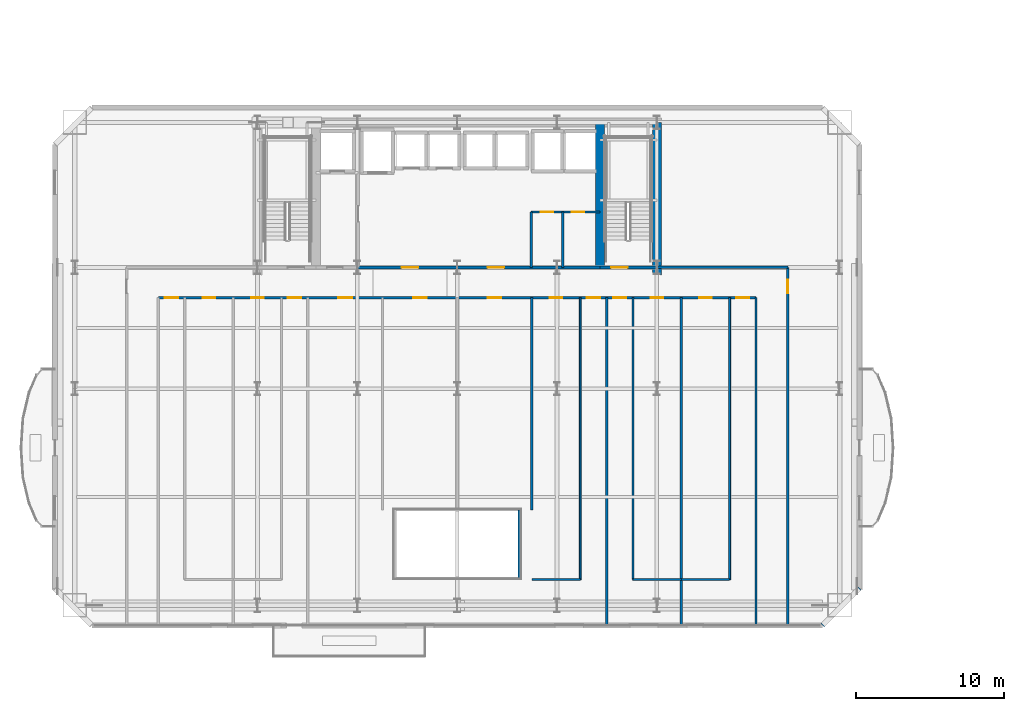
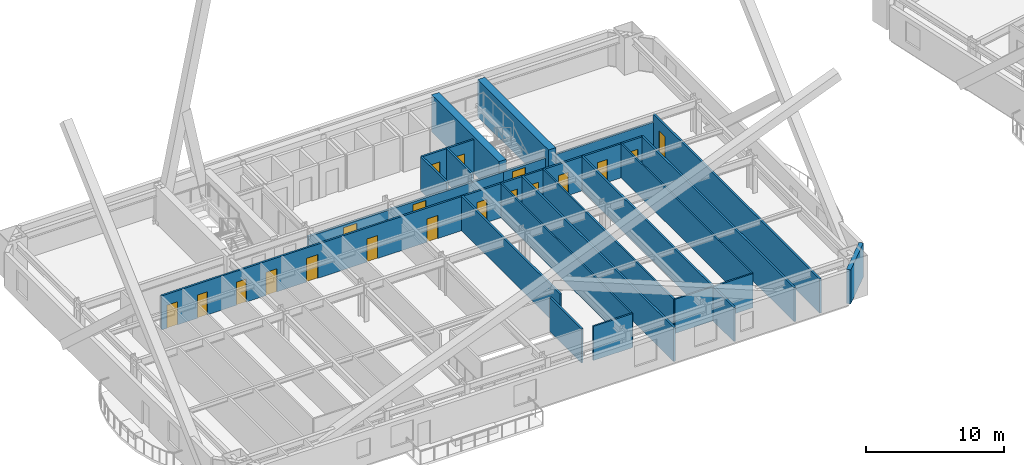
# One storey, part 8 of 20: 22 walls, 19 doors, 19 openings.
"""IFC4 building model written with IfcOpenShell, lengths in metres."""

from ifc_helpers import new_model, si_unit, direction, frame, frame_2d, origin, place, context, subcontext, project, spatial, rectangle, extrude, material, layer, layer_set, type_object, element, fill, save


model = new_model("IFC4")

# Units and contexts
model_context = context("Model", 3, precision=1e-05, world=origin(), true_north=direction((0.0, 1.0)))
body_context = subcontext(model_context, "Body", "Model", "MODEL_VIEW")
ifc_project = project(units=[si_unit("LENGTHUNIT", "METRE"), si_unit("AREAUNIT", "SQUARE_METRE"), si_unit("VOLUMEUNIT", "CUBIC_METRE"), si_unit("PLANEANGLEUNIT", "RADIAN"), si_unit("MASSUNIT", "GRAM", prefix="KILO")], contexts=[model_context])

# Site, building, storey
site_placement = place(None, origin())
site = spatial("IfcSite", under=ifc_project, at=site_placement, CompositionType="ELEMENT")
building_placement = place(site_placement, origin())
building = spatial("IfcBuilding", under=site, at=building_placement, Name="Haevon Station Towers", CompositionType="ELEMENT")
storey_placement = place(building_placement, frame((0.0, 0.0, 30.60009765625)))
storey = spatial("IfcBuildingStorey", under=building, at=storey_placement, Name="L06", CompositionType="ELEMENT", Elevation=30.60009765625)

# Wall, opening, door
ifc_material_1 = material(Name="Gypsum board on steel stud", Category="steel")
ifc_layer_1 = layer(ifc_material_1, 0.199951171875)
ifc_layer_set_1 = layer_set([ifc_layer_1], Name="Gypsum board on steel stud")
wall_type_1 = type_object("IfcWallType", Name="WL-COR200", PredefinedType="PARTITIONING", material=ifc_layer_set_1)
wall_1_placement = place(storey_placement, frame((47.14990234375, 38.199951171875, 0.0), z_axis=(0.0, 0.0, 1.0), x_axis=(1.0, 0.0, 0.0)))
wall_1 = element("IfcWall", 1, at=wall_1_placement, inside=storey, type_object=wall_type_1, Name="WL-ST-ST2-L06", PredefinedType="PARTITIONING", context=body_context, shape_type="SweptSolid", body=[
    extrude(rectangle(XDim=3.85009765625, YDim=0.199951171875, at=frame_2d((1.925048828125, 0.0))), origin(), (0.0, 0.0, 1.0), 2.329833984375),
])
opening_1_placement = place(wall_1_placement, frame((0.75, 0.0, 0.0)))
opening_1 = element("IfcOpeningElement", 2, at=opening_1_placement, cuts=wall_1, Name="Opening DR-ST-ST2-L06", PredefinedType="OPENING", context=body_context, shape_type="SweptSolid", body=[
    extrude(rectangle(XDim=1.1201171875, YDim=2.10009765625, at=frame_2d((0.56005859375, 1.050048828125))), frame((0.0, 0.10986328125, 0.0), z_axis=(0.0, -1.0, 0.0), x_axis=(1.0, 0.0, 0.0)), (0.0, 0.0, 1.0), 0.219970703125),
])
ifc_material_2 = material(Name="Engineered oak timber", Category="wood")
door_type_1 = type_object("IfcDoorType", Name="DR-ST-1120", OperationType="NOTDEFINED", PredefinedType="DOOR", material=ifc_material_2)
door_1_placement = place(opening_1_placement, origin())
door_1 = element("IfcDoor", 3, at=door_1_placement, inside=storey, type_object=door_type_1, Name="L06 Escape Stair ST2 Fire Door", OperationType="SINGLE_SWING_RIGHT", OverallHeight=2.10009765625, OverallWidth=1.1201171875, PredefinedType="DOOR", context=body_context, shape_type="SweptSolid", body=[
    extrude(rectangle(XDim=1.1201171875, YDim=2.10009765625, at=frame_2d((0.56005859375, 1.050048828125))), frame((0.0, 0.02490234375, 0.0), z_axis=(0.0, -1.0, 0.0), x_axis=(1.0, 0.0, 0.0)), (0.0, 0.0, 1.0), 0.050048828125),
])
fill(opening_1, door_1)

# Wall, openings, doors
wall_2_placement = place(storey_placement, frame((30.800048828125, 38.199951171875, 0.0), z_axis=(0.0, 0.0, 1.0), x_axis=(1.0, 0.0, 0.0)))
wall_2 = element("IfcWall", 4, at=wall_2_placement, inside=storey, type_object=wall_type_1, Name="WL-T1CLB-L06", PredefinedType="PARTITIONING", context=body_context, shape_type="SweptSolid", body=[
    extrude(rectangle(XDim=16.349853515625, YDim=0.199951171875, at=frame_2d((8.1748046875, 0.0))), origin(), (0.0, 0.0, 1.0), 2.329833984375),
])
opening_2_placement = place(wall_2_placement, frame((2.949951171875, 0.0, 0.0)))
opening_2 = element("IfcOpeningElement", 5, at=opening_2_placement, cuts=wall_2, Name="Opening DR-T1CLB-L06-1", PredefinedType="OPENING", context=body_context, shape_type="SweptSolid", body=[
    extrude(rectangle(XDim=1.1201171875, YDim=2.10009765625, at=frame_2d((0.56005859375, 1.050048828125))), frame((0.0, 0.10986328125, 0.0), z_axis=(0.0, -1.0, 0.0), x_axis=(1.0, 0.0, 0.0)), (0.0, 0.0, 1.0), 0.219970703125),
])
opening_3_placement = place(wall_2_placement, frame((8.75, 0.0, 0.0)))
opening_3 = element("IfcOpeningElement", 6, at=opening_3_placement, cuts=wall_2, Name="Opening DR-T1CLB-L06-2", PredefinedType="OPENING", context=body_context, shape_type="SweptSolid", body=[
    extrude(rectangle(XDim=1.1201171875, YDim=2.10009765625, at=frame_2d((0.56005859375, 1.050048828125))), frame((0.0, 0.10986328125, 0.0), z_axis=(0.0, -1.0, 0.0), x_axis=(1.0, 0.0, 0.0)), (0.0, 0.0, 1.0), 0.219970703125),
])
door_2_placement = place(opening_2_placement, origin())
door_2 = element("IfcDoor", 7, at=door_2_placement, inside=storey, type_object=door_type_1, Name="L06 Tower 1 Core Lift Lobby Door 1", OperationType="SINGLE_SWING_LEFT", OverallHeight=2.10009765625, OverallWidth=1.1201171875, PredefinedType="DOOR", context=body_context, shape_type="SweptSolid", body=[
    extrude(rectangle(XDim=1.1201171875, YDim=2.10009765625, at=frame_2d((0.56005859375, 1.050048828125))), frame((0.0, 0.02490234375, 0.0), z_axis=(0.0, -1.0, 0.0), x_axis=(1.0, 0.0, 0.0)), (0.0, 0.0, 1.0), 0.050048828125),
])
fill(opening_2, door_2)
door_3_placement = place(opening_3_placement, origin())
door_3 = element("IfcDoor", 8, at=door_3_placement, inside=storey, type_object=door_type_1, Name="L06 Tower 1 Core Lift Lobby Door 2", OperationType="SINGLE_SWING_RIGHT", OverallHeight=2.10009765625, OverallWidth=1.1201171875, PredefinedType="DOOR", context=body_context, shape_type="SweptSolid", body=[
    extrude(rectangle(XDim=1.1201171875, YDim=2.10009765625, at=frame_2d((0.56005859375, 1.050048828125))), frame((0.0, 0.02490234375, 0.0), z_axis=(0.0, -1.0, 0.0), x_axis=(1.0, 0.0, 0.0)), (0.0, 0.0, 1.0), 0.050048828125),
])
fill(opening_3, door_3)

# Walls
ifc_material_3 = material(Name="Concrete C60/75", Category="concrete")
ifc_layer_2 = layer(ifc_material_3, 0.60009765625)
ifc_layer_set_2 = layer_set([ifc_layer_2], Name="Concrete C60/75")
wall_type_2 = type_object("IfcWallType", Name="WL-CR600", PredefinedType="SHEAR", material=ifc_layer_set_2)
wall_3_placement = place(storey_placement, frame((51.0, 37.679931640625, 0.0), z_axis=(0.0, 0.0, 1.0), x_axis=(0.0, 1.0, 0.0)))
element("IfcWall", 9, at=wall_3_placement, inside=storey, type_object=wall_type_2, Name="WL-T1CR-L06-E", PredefinedType="SHEAR", context=body_context, shape_type="SweptSolid", body=[
    extrude(rectangle(XDim=10.320068359375, YDim=0.60009765625, at=frame_2d((5.16015625, 0.0))), origin(), (0.0, 0.0, 1.0), 3.2998046875),
])
wall_4_placement = place(storey_placement, frame((47.14990234375, 38.199951171875, 0.0), z_axis=(0.0, 0.0, 1.0), x_axis=(0.0, 1.0, 0.0)))
element("IfcWall", 10, at=wall_4_placement, inside=storey, type_object=wall_type_2, Name="WL-T1CR-L06-M2", PredefinedType="SHEAR", context=body_context, shape_type="SweptSolid", body=[
    extrude(rectangle(XDim=9.800048828125, YDim=0.60009765625, at=frame_2d((4.89990234375, 0.0))), origin(), (0.0, 0.0, 1.0), 3.2998046875),
])
ifc_material_4 = material(Name="Precast concrete C45/55", Category="concrete")
ifc_layer_3 = layer(ifc_material_4, 0.340087890625)
ifc_layer_set_3 = layer_set([ifc_layer_3], Name="Precast concrete C45/55")
wall_type_3 = type_object("IfcWallType", Name="WL-EXT-PIER340", PredefinedType="SOLIDWALL", material=ifc_layer_set_3)
wall_5_placement = place(storey_placement, frame((64.699951171875, 16.5, 0.0), z_axis=(0.0, 0.0, 1.0), x_axis=(-0.707106781187, -0.707106781187, 0.0)))
element("IfcWall", 11, at=wall_5_placement, inside=storey, type_object=wall_type_3, Name="WL-T1-L06-SEC", PredefinedType="SOLIDWALL", context=body_context, shape_type="SweptSolid", body=[
    extrude(rectangle(XDim=3.53564453125, YDim=0.340087890625, at=frame_2d((1.767822265625, 0.0))), origin(), (0.0, 0.0, 1.0), 3.02978515625),
])
ifc_layer_4 = layer(ifc_material_1, 0.125)
ifc_layer_set_4 = layer_set([ifc_layer_4], Name="Gypsum board on steel stud")
wall_type_4 = type_object("IfcWallType", Name="WL-PRT125", PredefinedType="PARTITIONING", material=ifc_layer_set_4)
wall_6_placement = place(storey_placement, frame((45.820068359375, 17.10009765625, 0.0), z_axis=(0.0, 0.0, 1.0), x_axis=(0.0, 1.0, 0.0)))
element("IfcWall", 12, at=wall_6_placement, inside=storey, type_object=wall_type_4, Name="WL-T1PT-L06-23", PredefinedType="PARTITIONING", context=body_context, shape_type="SweptSolid", body=[
    extrude(rectangle(XDim=19.0498046875, YDim=0.125, at=frame_2d((9.52490234375, 0.0))), origin(), (0.0, 0.0, 1.0), 3.02978515625),
])
wall_7_placement = place(storey_placement, frame((49.3798828125, 17.10009765625, 0.0), z_axis=(0.0, 0.0, 1.0), x_axis=(1.0, 0.0, 0.0)))
element("IfcWall", 13, at=wall_7_placement, inside=storey, type_object=wall_type_4, Name="WL-T1PT-L06-25", PredefinedType="PARTITIONING", context=body_context, shape_type="SweptSolid", body=[
    extrude(rectangle(XDim=3.27001953125, YDim=0.125, at=frame_2d((1.635009765625, 0.0))), origin(), (0.0, 0.0, 1.0), 3.02978515625),
])
wall_8_placement = place(storey_placement, frame((55.919921875, 17.10009765625, 0.0), z_axis=(0.0, 0.0, 1.0), x_axis=(0.0, 1.0, 0.0)))
element("IfcWall", 14, at=wall_8_placement, inside=storey, type_object=wall_type_4, Name="WL-T1PT-L06-29", PredefinedType="PARTITIONING", context=body_context, shape_type="SweptSolid", body=[
    extrude(rectangle(XDim=19.0498046875, YDim=0.125, at=frame_2d((9.52490234375, 0.0))), origin(), (0.0, 0.0, 1.0), 3.02978515625),
])
ifc_layer_5 = layer(ifc_material_1, 0.139892578125)
ifc_layer_set_5 = layer_set([ifc_layer_5], Name="Gypsum board on steel stud")
wall_type_5 = type_object("IfcWallType", Name="WL-PRT140", PredefinedType="PARTITIONING", material=ifc_layer_set_5)
wall_9_placement = place(storey_placement, frame((42.550048828125, 17.10009765625, 0.0), z_axis=(0.0, 0.0, 1.0), x_axis=(1.0, 0.0, 0.0)))
element("IfcWall", 15, at=wall_9_placement, inside=storey, type_object=wall_type_5, Name="WL-T1PT-L06-22", PredefinedType="PARTITIONING", context=body_context, shape_type="SweptSolid", body=[
    extrude(rectangle(XDim=3.27001953125, YDim=0.139892578125, at=frame_2d((1.635009765625, 0.0))), origin(), (0.0, 0.0, 1.0), 3.02978515625),
])
wall_10_placement = place(storey_placement, frame((49.3798828125, 17.10009765625, 0.0), z_axis=(0.0, 0.0, 1.0), x_axis=(0.0, 1.0, 0.0)))
element("IfcWall", 16, at=wall_10_placement, inside=storey, type_object=wall_type_5, Name="WL-T1PT-L06-26", PredefinedType="PARTITIONING", context=body_context, shape_type="SweptSolid", body=[
    extrude(rectangle(XDim=19.0498046875, YDim=0.139892578125, at=frame_2d((9.52490234375, 0.0))), origin(), (0.0, 0.0, 1.0), 3.02978515625),
])
wall_11_placement = place(storey_placement, frame((52.64990234375, 17.10009765625, 0.0), z_axis=(0.0, 0.0, 1.0), x_axis=(1.0, 0.0, 0.0)))
element("IfcWall", 17, at=wall_11_placement, inside=storey, type_object=wall_type_5, Name="WL-T1PT-L06-28", PredefinedType="PARTITIONING", context=body_context, shape_type="SweptSolid", body=[
    extrude(rectangle(XDim=3.27001953125, YDim=0.139892578125, at=frame_2d((1.635009765625, 0.0))), origin(), (0.0, 0.0, 1.0), 3.02978515625),
])
ifc_layer_6 = layer(ifc_material_1, 0.159912109375)
ifc_layer_set_6 = layer_set([ifc_layer_6], Name="Gypsum board on steel stud")
wall_type_6 = type_object("IfcWallType", Name="WL-PRT160", PredefinedType="PARTITIONING", material=ifc_layer_set_6)
for number, where, z_axis, x_axis, name in (
    (18, (42.5, 38.199951171875, 0.0), (0.0, 0.0, 1.0), (0.0, 1.0, 0.0), "WL-T1CW-L06-01"),
    (19, (44.6298828125, 38.199951171875, 0.0), (0.0, 0.0, 1.0), (0.0, 1.0, 0.0), "WL-T1CW-L06-02"),
):
    element("IfcWall", number, at=place(storey_placement, frame(where, z_axis=z_axis, x_axis=x_axis)), inside=storey, type_object=wall_type_6, Name=name, PredefinedType="PARTITIONING", context=body_context, shape_type="SweptSolid", body=[
        extrude(rectangle(XDim=3.75, YDim=0.159912109375, at=frame_2d((1.875, 0.0))), origin(), (0.0, 0.0, 1.0), 3.02978515625),
    ])

# Wall, openings, doors
wall_12_placement = place(storey_placement, frame((42.5, 41.949951171875, 0.0), z_axis=(0.0, 0.0, 1.0), x_axis=(1.0, 0.0, 0.0)))
wall_12 = element("IfcWall", 20, at=wall_12_placement, inside=storey, type_object=wall_type_6, Name="WL-T1CW-L06-03", PredefinedType="PARTITIONING", context=body_context, shape_type="SweptSolid", body=[
    extrude(rectangle(XDim=4.64990234375, YDim=0.159912109375, at=frame_2d((2.324951171875, 0.0))), origin(), (0.0, 0.0, 1.0), 3.02978515625),
])
opening_4_placement = place(wall_12_placement, frame((0.659912109375, 0.0, 0.0)))
opening_4 = element("IfcOpeningElement", 21, at=opening_4_placement, cuts=wall_12, Name="Opening DR-WL-T1CW-L06-03-1", PredefinedType="OPENING", context=body_context, shape_type="SweptSolid", body=[
    extrude(rectangle(XDim=0.85009765625, YDim=2.050048828125, at=frame_2d((0.425048828125, 1.02490234375))), frame((0.0, 0.08984375, 0.0), z_axis=(0.0, -1.0, 0.0), x_axis=(1.0, 0.0, 0.0)), (0.0, 0.0, 1.0), 0.179931640625),
])
opening_5_placement = place(wall_12_placement, frame((2.72998046875, 0.0, 0.0)))
opening_5 = element("IfcOpeningElement", 22, at=opening_5_placement, cuts=wall_12, Name="Opening DR-WL-T1CW-L06-03-2", PredefinedType="OPENING", context=body_context, shape_type="SweptSolid", body=[
    extrude(rectangle(XDim=0.85009765625, YDim=2.050048828125, at=frame_2d((0.425048828125, 1.02490234375))), frame((0.0, 0.08984375, 0.0), z_axis=(0.0, -1.0, 0.0), x_axis=(1.0, 0.0, 0.0)), (0.0, 0.0, 1.0), 0.179931640625),
])
door_type_2 = type_object("IfcDoorType", Name="DR-FD30-850", OperationType="NOTDEFINED", PredefinedType="DOOR", material=ifc_material_2)
door_4_placement = place(opening_4_placement, origin())
door_4 = element("IfcDoor", 23, at=door_4_placement, inside=storey, type_object=door_type_2, Name="L06 Tower 1 Core Room Door 3-1", OperationType="SINGLE_SWING_RIGHT", OverallHeight=2.050048828125, OverallWidth=0.85009765625, PredefinedType="DOOR", context=body_context, shape_type="SweptSolid", body=[
    extrude(rectangle(XDim=0.85009765625, YDim=2.050048828125, at=frame_2d((0.425048828125, 1.02490234375))), frame((0.0, 0.02490234375, 0.0), z_axis=(0.0, -1.0, 0.0), x_axis=(1.0, 0.0, 0.0)), (0.0, 0.0, 1.0), 0.050048828125),
])
fill(opening_4, door_4)
door_5_placement = place(opening_5_placement, origin())
door_5 = element("IfcDoor", 24, at=door_5_placement, inside=storey, type_object=door_type_2, Name="L06 Tower 1 Core Room Door 3-2", OperationType="SINGLE_SWING_LEFT", OverallHeight=2.050048828125, OverallWidth=0.85009765625, PredefinedType="DOOR", context=body_context, shape_type="SweptSolid", body=[
    extrude(rectangle(XDim=0.85009765625, YDim=2.050048828125, at=frame_2d((0.425048828125, 1.02490234375))), frame((0.0, 0.02490234375, 0.0), z_axis=(0.0, -1.0, 0.0), x_axis=(1.0, 0.0, 0.0)), (0.0, 0.0, 1.0), 0.050048828125),
])
fill(opening_5, door_5)

# Walls
wall_13_placement = place(storey_placement, frame((57.699951171875, 14.0, 0.0), z_axis=(0.0, 0.0, 1.0), x_axis=(0.0, 1.0, 0.0)))
element("IfcWall", 25, at=wall_13_placement, inside=storey, type_object=wall_type_6, Name="WL-T1PT-L06-02", PredefinedType="PARTITIONING", context=body_context, shape_type="SweptSolid", body=[
    extrude(rectangle(XDim=22.14990234375, YDim=0.159912109375, at=frame_2d((11.074951171875, 0.0))), origin(), (0.0, 0.0, 1.0), 3.02978515625),
])
wall_14_placement = place(storey_placement, frame((51.0, 38.199951171875, 0.0), z_axis=(0.0, 0.0, 1.0), x_axis=(1.0, 0.0, 0.0)))
element("IfcWall", 26, at=wall_14_placement, inside=storey, type_object=wall_type_6, Name="WL-T1PT-L06-04", PredefinedType="PARTITIONING", context=body_context, shape_type="SweptSolid", body=[
    extrude(rectangle(XDim=8.85009765625, YDim=0.159912109375, at=frame_2d((4.425048828125, 0.0))), origin(), (0.0, 0.0, 1.0), 2.329833984375),
])

# Wall, opening, door
wall_15_placement = place(storey_placement, frame((59.85009765625, 14.0, 0.0), z_axis=(0.0, 0.0, 1.0), x_axis=(0.0, 1.0, 0.0)))
wall_15 = element("IfcWall", 27, at=wall_15_placement, inside=storey, type_object=wall_type_6, Name="WL-T1PT-L06-06", PredefinedType="PARTITIONING", context=body_context, shape_type="SweptSolid", body=[
    extrude(rectangle(XDim=24.199951171875, YDim=0.159912109375, at=frame_2d((12.10009765625, 0.0))), origin(), (0.0, 0.0, 1.0), 3.02978515625),
])
opening_6_placement = place(wall_15_placement, frame((22.469970703125, 0.0, 0.0)))
opening_6 = element("IfcOpeningElement", 28, at=opening_6_placement, cuts=wall_15, Name="Opening DR-WL-T1PT-L06-06-01", PredefinedType="OPENING", context=body_context, shape_type="SweptSolid", body=[
    extrude(rectangle(XDim=0.89990234375, YDim=2.050048828125, at=frame_2d((0.449951171875, 1.02490234375))), frame((0.0, 0.08984375, 0.0), z_axis=(0.0, -1.0, 0.0), x_axis=(1.0, 0.0, 0.0)), (0.0, 0.0, 1.0), 0.179931640625),
])
door_type_3 = type_object("IfcDoorType", Name="DR-INT-900", OperationType="NOTDEFINED", PredefinedType="DOOR", material=ifc_material_2)
door_6_placement = place(opening_6_placement, origin())
door_6 = element("IfcDoor", 29, at=door_6_placement, inside=storey, type_object=door_type_3, Name="L06 Tower 1 Room Door 6-1", OperationType="SINGLE_SWING_LEFT", OverallHeight=2.050048828125, OverallWidth=0.89990234375, PredefinedType="DOOR", context=body_context, shape_type="SweptSolid", body=[
    extrude(rectangle(XDim=0.89990234375, YDim=2.050048828125, at=frame_2d((0.449951171875, 1.02490234375))), frame((0.0, 0.02490234375, 0.0), z_axis=(0.0, -1.0, 0.0), x_axis=(1.0, 0.0, 0.0)), (0.0, 0.0, 1.0), 0.050048828125),
])
fill(opening_6, door_6)

# Walls
wall_16_placement = place(storey_placement, frame((41.699951171875, 17.199951171875, 0.0), z_axis=(0.0, 0.0, 1.0), x_axis=(0.0, 1.0, 0.0)))
element("IfcWall", 30, at=wall_16_placement, inside=storey, type_object=wall_type_6, Name="WL-T1PT-L06-10", PredefinedType="PARTITIONING", context=body_context, shape_type="SweptSolid", body=[
    extrude(rectangle(XDim=4.60009765625, YDim=0.159912109375, at=frame_2d((2.300048828125, 0.0))), origin(), (0.0, 0.0, 1.0), 3.02978515625),
])
wall_17_placement = place(storey_placement, frame((42.550048828125, 21.800048828125, 0.0), z_axis=(0.0, 0.0, 1.0), x_axis=(0.0, 1.0, 0.0)))
element("IfcWall", 31, at=wall_17_placement, inside=storey, type_object=wall_type_6, Name="WL-T1PT-L06-20", PredefinedType="PARTITIONING", context=body_context, shape_type="SweptSolid", body=[
    extrude(rectangle(XDim=14.349853515625, YDim=0.159912109375, at=frame_2d((7.1748046875, 0.0))), origin(), (0.0, 0.0, 1.0), 3.02978515625),
])
for number, where, z_axis, x_axis, name in (
    (32, (47.60009765625, 14.0, 0.0), (0.0, 0.0, 1.0), (0.0, 1.0, 0.0), "WL-T1PT-L06-24"),
    (33, (52.64990234375, 14.0, 0.0), (0.0, 0.0, 1.0), (0.0, 1.0, 0.0), "WL-T1PT-L06-27"),
):
    element("IfcWall", number, at=place(storey_placement, frame(where, z_axis=z_axis, x_axis=x_axis)), inside=storey, type_object=wall_type_6, Name=name, PredefinedType="PARTITIONING", context=body_context, shape_type="SweptSolid", body=[
        extrude(rectangle(XDim=22.14990234375, YDim=0.159912109375, at=frame_2d((11.074951171875, 0.0))), origin(), (0.0, 0.0, 1.0), 3.02978515625),
    ])

# Wall, openings, doors
wall_18_placement = place(storey_placement, frame((17.300048828125, 36.14990234375, 0.0), z_axis=(0.0, 0.0, 1.0), x_axis=(1.0, 0.0, 0.0)))
wall_18 = element("IfcWall", 34, at=wall_18_placement, inside=storey, type_object=wall_type_6, Name="WL-T1PT-L06-30", PredefinedType="PARTITIONING", context=body_context, shape_type="SweptSolid", body=[
    extrude(rectangle(XDim=40.39990234375, YDim=0.159912109375, at=frame_2d((20.199951171875, 0.0))), origin(), (0.0, 0.0, 1.0), 3.02978515625),
])
opening_7_placement = place(wall_18_placement, frame((2.989990234375, 0.0, 0.0)))
opening_7 = element("IfcOpeningElement", 35, at=opening_7_placement, cuts=wall_18, Name="Opening DR-WL-T1PT-L06-30-01", PredefinedType="OPENING", context=body_context, shape_type="SweptSolid", body=[
    extrude(rectangle(XDim=0.85009765625, YDim=2.050048828125, at=frame_2d((0.425048828125, 1.02490234375))), frame((0.0, 0.08984375, 0.0), z_axis=(0.0, -1.0, 0.0), x_axis=(1.0, 0.0, 0.0)), (0.0, 0.0, 1.0), 0.179931640625),
])
opening_8_placement = place(wall_18_placement, frame((0.43994140625, 0.0, 0.0)))
opening_8 = element("IfcOpeningElement", 36, at=opening_8_placement, cuts=wall_18, Name="Opening DR-WL-T1PT-L06-30-02", PredefinedType="OPENING", context=body_context, shape_type="SweptSolid", body=[
    extrude(rectangle(XDim=0.89990234375, YDim=2.050048828125, at=frame_2d((0.449951171875, 1.02490234375))), frame((0.0, 0.08984375, 0.0), z_axis=(0.0, -1.0, 0.0), x_axis=(1.0, 0.0, 0.0)), (0.0, 0.0, 1.0), 0.179931640625),
])
opening_9_placement = place(wall_18_placement, frame((6.260009765625, 0.0, 0.0)))
opening_9 = element("IfcOpeningElement", 37, at=opening_9_placement, cuts=wall_18, Name="Opening DR-WL-T1PT-L06-30-03", PredefinedType="OPENING", context=body_context, shape_type="SweptSolid", body=[
    extrude(rectangle(XDim=0.85009765625, YDim=2.050048828125, at=frame_2d((0.425048828125, 1.02490234375))), frame((0.0, 0.08984375, 0.0), z_axis=(0.0, -1.0, 0.0), x_axis=(1.0, 0.0, 0.0)), (0.0, 0.0, 1.0), 0.179931640625),
])
opening_10_placement = place(wall_18_placement, frame((8.760009765625, 0.0, 0.0)))
opening_10 = element("IfcOpeningElement", 38, at=opening_10_placement, cuts=wall_18, Name="Opening DR-WL-T1PT-L06-30-04", PredefinedType="OPENING", context=body_context, shape_type="SweptSolid", body=[
    extrude(rectangle(XDim=0.89990234375, YDim=2.050048828125, at=frame_2d((0.449951171875, 1.02490234375))), frame((0.0, 0.08984375, 0.0), z_axis=(0.0, -1.0, 0.0), x_axis=(1.0, 0.0, 0.0)), (0.0, 0.0, 1.0), 0.179931640625),
])
opening_11_placement = place(wall_18_placement, frame((12.14990234375, 0.0, 0.0)))
opening_11 = element("IfcOpeningElement", 39, at=opening_11_placement, cuts=wall_18, Name="Opening DR-WL-T1PT-L06-30-05", PredefinedType="OPENING", context=body_context, shape_type="SweptSolid", body=[
    extrude(rectangle(XDim=0.949951171875, YDim=2.10009765625, at=frame_2d((0.47509765625, 1.050048828125))), frame((0.0, 0.08984375, 0.0), z_axis=(0.0, -1.0, 0.0), x_axis=(1.0, 0.0, 0.0)), (0.0, 0.0, 1.0), 0.179931640625),
])
opening_12_placement = place(wall_18_placement, frame((17.22509765625, 0.0, 0.0)))
opening_12 = element("IfcOpeningElement", 40, at=opening_12_placement, cuts=wall_18, Name="Opening DR-WL-T1PT-L06-30-06", PredefinedType="OPENING", context=body_context, shape_type="SweptSolid", body=[
    extrude(rectangle(XDim=0.89990234375, YDim=2.050048828125, at=frame_2d((0.449951171875, 1.02490234375))), frame((0.0, 0.08984375, 0.0), z_axis=(0.0, -1.0, 0.0), x_axis=(1.0, 0.0, 0.0)), (0.0, 0.0, 1.0), 0.179931640625),
])
opening_13_placement = place(wall_18_placement, frame((22.27490234375, 0.0, 0.0)))
opening_13 = element("IfcOpeningElement", 41, at=opening_13_placement, cuts=wall_18, Name="Opening DR-WL-T1PT-L06-30-07", PredefinedType="OPENING", context=body_context, shape_type="SweptSolid", body=[
    extrude(rectangle(XDim=0.89990234375, YDim=2.050048828125, at=frame_2d((0.449951171875, 1.02490234375))), frame((0.0, 0.08984375, 0.0), z_axis=(0.0, -1.0, 0.0), x_axis=(1.0, 0.0, 0.0)), (0.0, 0.0, 1.0), 0.179931640625),
])
opening_14_placement = place(wall_18_placement, frame((26.4599609375, 0.0, 0.0)))
opening_14 = element("IfcOpeningElement", 42, at=opening_14_placement, cuts=wall_18, Name="Opening DR-WL-T1PT-L06-30-08", PredefinedType="OPENING", context=body_context, shape_type="SweptSolid", body=[
    extrude(rectangle(XDim=0.85009765625, YDim=2.050048828125, at=frame_2d((0.425048828125, 1.02490234375))), frame((0.0, 0.08984375, 0.0), z_axis=(0.0, -1.0, 0.0), x_axis=(1.0, 0.0, 0.0)), (0.0, 0.0, 1.0), 0.179931640625),
])
opening_15_placement = place(wall_18_placement, frame((28.9599609375, 0.0, 0.0)))
opening_15 = element("IfcOpeningElement", 43, at=opening_15_placement, cuts=wall_18, Name="Opening DR-WL-T1PT-L06-30-09", PredefinedType="OPENING", context=body_context, shape_type="SweptSolid", body=[
    extrude(rectangle(XDim=0.89990234375, YDim=2.050048828125, at=frame_2d((0.449951171875, 1.02490234375))), frame((0.0, 0.08984375, 0.0), z_axis=(0.0, -1.0, 0.0), x_axis=(1.0, 0.0, 0.0)), (0.0, 0.0, 1.0), 0.179931640625),
])
opening_16_placement = place(wall_18_placement, frame((33.2900390625, 0.0, 0.0)))
opening_16 = element("IfcOpeningElement", 44, at=opening_16_placement, cuts=wall_18, Name="Opening DR-WL-T1PT-L06-30-10", PredefinedType="OPENING", context=body_context, shape_type="SweptSolid", body=[
    extrude(rectangle(XDim=0.85009765625, YDim=2.050048828125, at=frame_2d((0.425048828125, 1.02490234375))), frame((0.0, 0.08984375, 0.0), z_axis=(0.0, -1.0, 0.0), x_axis=(1.0, 0.0, 0.0)), (0.0, 0.0, 1.0), 0.179931640625),
])
opening_17_placement = place(wall_18_placement, frame((30.739990234375, 0.0, 0.0)))
opening_17 = element("IfcOpeningElement", 45, at=opening_17_placement, cuts=wall_18, Name="Opening DR-WL-T1PT-L06-30-11", PredefinedType="OPENING", context=body_context, shape_type="SweptSolid", body=[
    extrude(rectangle(XDim=0.89990234375, YDim=2.050048828125, at=frame_2d((0.449951171875, 1.02490234375))), frame((0.0, 0.08984375, 0.0), z_axis=(0.0, -1.0, 0.0), x_axis=(1.0, 0.0, 0.0)), (0.0, 0.0, 1.0), 0.179931640625),
])
opening_18_placement = place(wall_18_placement, frame((36.56005859375, 0.0, 0.0)))
opening_18 = element("IfcOpeningElement", 46, at=opening_18_placement, cuts=wall_18, Name="Opening DR-WL-T1PT-L06-30-12", PredefinedType="OPENING", context=body_context, shape_type="SweptSolid", body=[
    extrude(rectangle(XDim=0.85009765625, YDim=2.050048828125, at=frame_2d((0.425048828125, 1.02490234375))), frame((0.0, 0.08984375, 0.0), z_axis=(0.0, -1.0, 0.0), x_axis=(1.0, 0.0, 0.0)), (0.0, 0.0, 1.0), 0.179931640625),
])
opening_19_placement = place(wall_18_placement, frame((39.06005859375, 0.0, 0.0)))
opening_19 = element("IfcOpeningElement", 47, at=opening_19_placement, cuts=wall_18, Name="Opening DR-WL-T1PT-L06-30-13", PredefinedType="OPENING", context=body_context, shape_type="SweptSolid", body=[
    extrude(rectangle(XDim=0.89990234375, YDim=2.050048828125, at=frame_2d((0.449951171875, 1.02490234375))), frame((0.0, 0.08984375, 0.0), z_axis=(0.0, -1.0, 0.0), x_axis=(1.0, 0.0, 0.0)), (0.0, 0.0, 1.0), 0.179931640625),
])
door_7_placement = place(opening_7_placement, origin())
door_7 = element("IfcDoor", 48, at=door_7_placement, inside=storey, type_object=door_type_2, Name="L06 Tower 1 Room Door 30-1", OperationType="SINGLE_SWING_RIGHT", OverallHeight=2.050048828125, OverallWidth=0.85009765625, PredefinedType="DOOR", context=body_context, shape_type="SweptSolid", body=[
    extrude(rectangle(XDim=0.85009765625, YDim=2.050048828125, at=frame_2d((0.425048828125, 1.02490234375))), frame((0.0, 0.02490234375, 0.0), z_axis=(0.0, -1.0, 0.0), x_axis=(1.0, 0.0, 0.0)), (0.0, 0.0, 1.0), 0.050048828125),
])
fill(opening_7, door_7)
door_8_placement = place(opening_9_placement, origin())
door_8 = element("IfcDoor", 49, at=door_8_placement, inside=storey, type_object=door_type_2, Name="L06 Tower 1 Room Door 30-3", OperationType="SINGLE_SWING_RIGHT", OverallHeight=2.050048828125, OverallWidth=0.85009765625, PredefinedType="DOOR", context=body_context, shape_type="SweptSolid", body=[
    extrude(rectangle(XDim=0.85009765625, YDim=2.050048828125, at=frame_2d((0.425048828125, 1.02490234375))), frame((0.0, 0.02490234375, 0.0), z_axis=(0.0, -1.0, 0.0), x_axis=(1.0, 0.0, 0.0)), (0.0, 0.0, 1.0), 0.050048828125),
])
fill(opening_9, door_8)
door_9_placement = place(opening_14_placement, origin())
door_9 = element("IfcDoor", 50, at=door_9_placement, inside=storey, type_object=door_type_2, Name="L06 Tower 1 Room Door 30-8", OperationType="SINGLE_SWING_LEFT", OverallHeight=2.050048828125, OverallWidth=0.85009765625, PredefinedType="DOOR", context=body_context, shape_type="SweptSolid", body=[
    extrude(rectangle(XDim=0.85009765625, YDim=2.050048828125, at=frame_2d((0.425048828125, 1.02490234375))), frame((0.0, 0.02490234375, 0.0), z_axis=(0.0, -1.0, 0.0), x_axis=(1.0, 0.0, 0.0)), (0.0, 0.0, 1.0), 0.050048828125),
])
fill(opening_14, door_9)
door_10_placement = place(opening_16_placement, origin())
door_10 = element("IfcDoor", 51, at=door_10_placement, inside=storey, type_object=door_type_2, Name="L06 Tower 1 Room Door 30-10", OperationType="SINGLE_SWING_LEFT", OverallHeight=2.050048828125, OverallWidth=0.85009765625, PredefinedType="DOOR", context=body_context, shape_type="SweptSolid", body=[
    extrude(rectangle(XDim=0.85009765625, YDim=2.050048828125, at=frame_2d((0.425048828125, 1.02490234375))), frame((0.0, 0.02490234375, 0.0), z_axis=(0.0, -1.0, 0.0), x_axis=(1.0, 0.0, 0.0)), (0.0, 0.0, 1.0), 0.050048828125),
])
fill(opening_16, door_10)
door_11_placement = place(opening_18_placement, origin())
door_11 = element("IfcDoor", 52, at=door_11_placement, inside=storey, type_object=door_type_2, Name="L06 Tower 1 Room Door 30-12", OperationType="SINGLE_SWING_LEFT", OverallHeight=2.050048828125, OverallWidth=0.85009765625, PredefinedType="DOOR", context=body_context, shape_type="SweptSolid", body=[
    extrude(rectangle(XDim=0.85009765625, YDim=2.050048828125, at=frame_2d((0.425048828125, 1.02490234375))), frame((0.0, 0.02490234375, 0.0), z_axis=(0.0, -1.0, 0.0), x_axis=(1.0, 0.0, 0.0)), (0.0, 0.0, 1.0), 0.050048828125),
])
fill(opening_18, door_11)
door_type_4 = type_object("IfcDoorType", Name="DR-FD30-950", OperationType="NOTDEFINED", PredefinedType="DOOR", material=ifc_material_2)
door_12_placement = place(opening_11_placement, origin())
door_12 = element("IfcDoor", 53, at=door_12_placement, inside=storey, type_object=door_type_4, Name="L06 Tower 1 Room Door 30-5", OperationType="SINGLE_SWING_RIGHT", OverallHeight=2.10009765625, OverallWidth=0.949951171875, PredefinedType="DOOR", context=body_context, shape_type="SweptSolid", body=[
    extrude(rectangle(XDim=0.949951171875, YDim=2.10009765625, at=frame_2d((0.47509765625, 1.050048828125))), frame((0.0, 0.02490234375, 0.0), z_axis=(0.0, -1.0, 0.0), x_axis=(1.0, 0.0, 0.0)), (0.0, 0.0, 1.0), 0.050048828125),
])
fill(opening_11, door_12)
door_13_placement = place(opening_8_placement, origin())
door_13 = element("IfcDoor", 54, at=door_13_placement, inside=storey, type_object=door_type_3, Name="L06 Tower 1 Room Door 30-2", OperationType="SINGLE_SWING_LEFT", OverallHeight=2.050048828125, OverallWidth=0.89990234375, PredefinedType="DOOR", context=body_context, shape_type="SweptSolid", body=[
    extrude(rectangle(XDim=0.89990234375, YDim=2.050048828125, at=frame_2d((0.449951171875, 1.02490234375))), frame((0.0, 0.02490234375, 0.0), z_axis=(0.0, -1.0, 0.0), x_axis=(1.0, 0.0, 0.0)), (0.0, 0.0, 1.0), 0.050048828125),
])
fill(opening_8, door_13)
door_14_placement = place(opening_10_placement, origin())
door_14 = element("IfcDoor", 55, at=door_14_placement, inside=storey, type_object=door_type_3, Name="L06 Tower 1 Room Door 30-4", OperationType="SINGLE_SWING_LEFT", OverallHeight=2.050048828125, OverallWidth=0.89990234375, PredefinedType="DOOR", context=body_context, shape_type="SweptSolid", body=[
    extrude(rectangle(XDim=0.89990234375, YDim=2.050048828125, at=frame_2d((0.449951171875, 1.02490234375))), frame((0.0, 0.02490234375, 0.0), z_axis=(0.0, -1.0, 0.0), x_axis=(1.0, 0.0, 0.0)), (0.0, 0.0, 1.0), 0.050048828125),
])
fill(opening_10, door_14)
door_15_placement = place(opening_12_placement, origin())
door_15 = element("IfcDoor", 56, at=door_15_placement, inside=storey, type_object=door_type_3, Name="L06 Tower 1 Room Door 30-6", OperationType="SINGLE_SWING_LEFT", OverallHeight=2.050048828125, OverallWidth=0.89990234375, PredefinedType="DOOR", context=body_context, shape_type="SweptSolid", body=[
    extrude(rectangle(XDim=0.89990234375, YDim=2.050048828125, at=frame_2d((0.449951171875, 1.02490234375))), frame((0.0, 0.02490234375, 0.0), z_axis=(0.0, -1.0, 0.0), x_axis=(1.0, 0.0, 0.0)), (0.0, 0.0, 1.0), 0.050048828125),
])
fill(opening_12, door_15)
door_16_placement = place(opening_13_placement, origin())
door_16 = element("IfcDoor", 57, at=door_16_placement, inside=storey, type_object=door_type_3, Name="L06 Tower 1 Room Door 30-7", OperationType="SINGLE_SWING_RIGHT", OverallHeight=2.050048828125, OverallWidth=0.89990234375, PredefinedType="DOOR", context=body_context, shape_type="SweptSolid", body=[
    extrude(rectangle(XDim=0.89990234375, YDim=2.050048828125, at=frame_2d((0.449951171875, 1.02490234375))), frame((0.0, 0.02490234375, 0.0), z_axis=(0.0, -1.0, 0.0), x_axis=(1.0, 0.0, 0.0)), (0.0, 0.0, 1.0), 0.050048828125),
])
fill(opening_13, door_16)
door_17_placement = place(opening_15_placement, origin())
door_17 = element("IfcDoor", 58, at=door_17_placement, inside=storey, type_object=door_type_3, Name="L06 Tower 1 Room Door 30-9", OperationType="SINGLE_SWING_RIGHT", OverallHeight=2.050048828125, OverallWidth=0.89990234375, PredefinedType="DOOR", context=body_context, shape_type="SweptSolid", body=[
    extrude(rectangle(XDim=0.89990234375, YDim=2.050048828125, at=frame_2d((0.449951171875, 1.02490234375))), frame((0.0, 0.02490234375, 0.0), z_axis=(0.0, -1.0, 0.0), x_axis=(1.0, 0.0, 0.0)), (0.0, 0.0, 1.0), 0.050048828125),
])
fill(opening_15, door_17)
door_18_placement = place(opening_17_placement, origin())
door_18 = element("IfcDoor", 59, at=door_18_placement, inside=storey, type_object=door_type_3, Name="L06 Tower 1 Room Door 30-11", OperationType="SINGLE_SWING_RIGHT", OverallHeight=2.050048828125, OverallWidth=0.89990234375, PredefinedType="DOOR", context=body_context, shape_type="SweptSolid", body=[
    extrude(rectangle(XDim=0.89990234375, YDim=2.050048828125, at=frame_2d((0.449951171875, 1.02490234375))), frame((0.0, 0.02490234375, 0.0), z_axis=(0.0, -1.0, 0.0), x_axis=(1.0, 0.0, 0.0)), (0.0, 0.0, 1.0), 0.050048828125),
])
fill(opening_17, door_18)
door_19_placement = place(opening_19_placement, origin())
door_19 = element("IfcDoor", 60, at=door_19_placement, inside=storey, type_object=door_type_3, Name="L06 Tower 1 Room Door 30-13", OperationType="SINGLE_SWING_RIGHT", OverallHeight=2.050048828125, OverallWidth=0.89990234375, PredefinedType="DOOR", context=body_context, shape_type="SweptSolid", body=[
    extrude(rectangle(XDim=0.89990234375, YDim=2.050048828125, at=frame_2d((0.449951171875, 1.02490234375))), frame((0.0, 0.02490234375, 0.0), z_axis=(0.0, -1.0, 0.0), x_axis=(1.0, 0.0, 0.0)), (0.0, 0.0, 1.0), 0.050048828125),
])
fill(opening_19, door_19)

save(model, "model.ifc")
